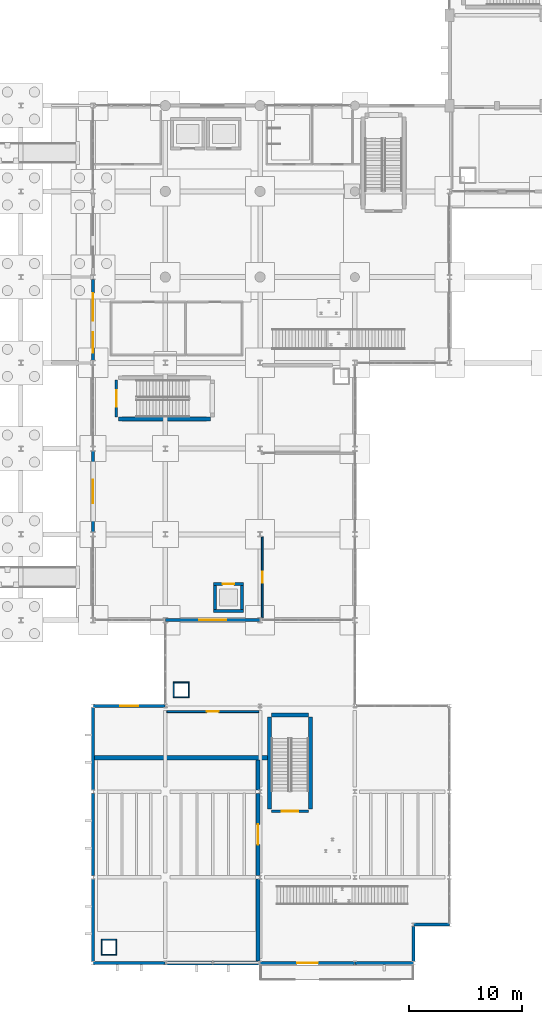
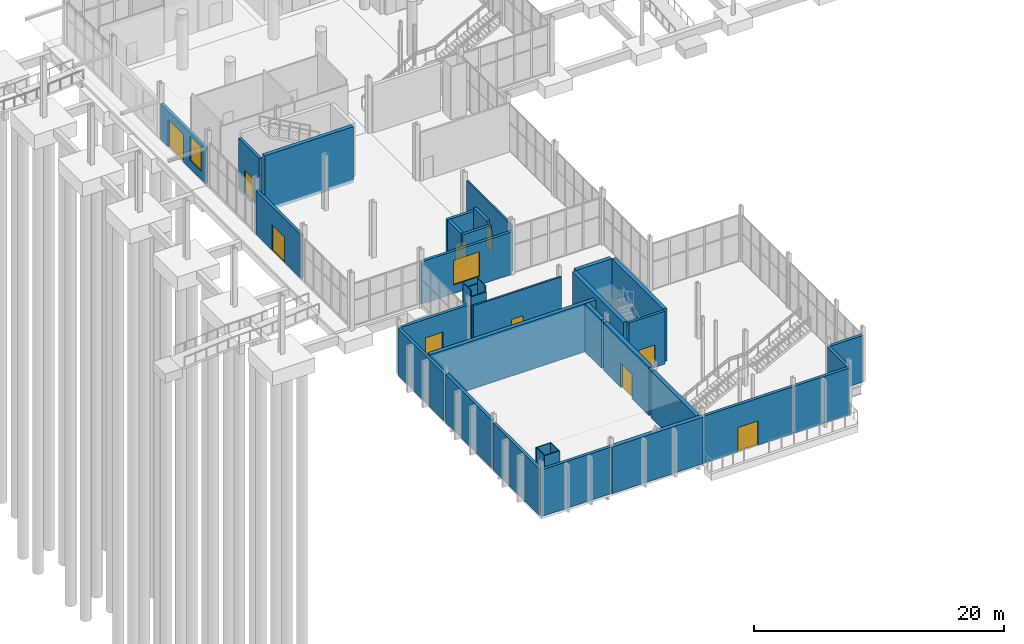
# One storey, part 73 of 95: 37 walls, 9 doors, 3 windows, 12 openings.
"""IFC4 building model written with IfcOpenShell, lengths in metres."""

from ifc_helpers import new_model, si_unit, direction, frame, frame_2d, origin, place, context, subcontext, project, spatial, rectangle, extrude, material, layer, layer_set, type_object, element, fill, save


model = new_model("IFC4")

# Units and contexts
model_context = context("Model", 3, precision=1e-05, world=origin(), true_north=direction((0.0, 1.0)))
body_context = subcontext(model_context, "Body", "Model", "MODEL_VIEW")
ifc_project = project(units=[si_unit("LENGTHUNIT", "METRE"), si_unit("AREAUNIT", "SQUARE_METRE"), si_unit("VOLUMEUNIT", "CUBIC_METRE"), si_unit("PLANEANGLEUNIT", "RADIAN"), si_unit("MASSUNIT", "GRAM", prefix="KILO")], contexts=[model_context])

# Site, building, storey
site_placement = place(None, origin())
site = spatial("IfcSite", under=ifc_project, at=site_placement, CompositionType="ELEMENT")
building_placement = place(site_placement, origin())
building = spatial("IfcBuilding", under=site, at=building_placement, Name="Shengluoqiao Park Theatre", CompositionType="ELEMENT")
storey_placement = place(building_placement, origin())
storey = spatial("IfcBuildingStorey", under=building, at=storey_placement, Name="L00", CompositionType="ELEMENT", Elevation=0.0)

# Wall
ifc_material_1 = material(Name="Concrete C40", Category="concrete")
ifc_layer_1 = layer(ifc_material_1, 0.27001953125, Name="Concrete C40")
ifc_layer_set_1 = layer_set([ifc_layer_1], Name="Concrete C40")
wall_type_1 = type_object("IfcWallType", Name="ENV-WL-CONC270", PredefinedType="STANDARD", material=ifc_layer_set_1)
wall_1_placement = place(storey_placement, frame((12.810546875, 0.0, 0.0), z_axis=(0.0, 0.0, 1.0), x_axis=(1.0, 0.0, 0.0)))
element("IfcWall", 1, at=wall_1_placement, inside=storey, type_object=wall_type_1, Name="L00 Exterior Wall 0131", PredefinedType="STANDARD", context=body_context, shape_type="SweptSolid", body=[
    extrude(rectangle(XDim=6.37890625, YDim=0.27001953125, at=frame_2d((3.189453125, 0.0))), origin(), (0.0, 0.0, 1.0), 4.555908203125),
])

# Wall, opening, door
wall_2_placement = place(storey_placement, frame((27.610595703125, 0.0, 0.0), z_axis=(0.0, 0.0, 1.0), x_axis=(1.0, 0.0, 0.0)))
wall_2 = element("IfcWall", 2, at=wall_2_placement, inside=storey, type_object=wall_type_1, Name="L00 Exterior Wall 0133", PredefinedType="STANDARD", context=body_context, shape_type="SweptSolid", body=[
    extrude(rectangle(XDim=8.37890625, YDim=0.27001953125, at=frame_2d((4.189453125, 0.0))), origin(), (0.0, 0.0, 1.0), 4.555908203125),
])
opening_1_placement = place(wall_2_placement, frame((3.264404296875, 0.0, 0.0)))
opening_1 = element("IfcOpeningElement", 3, at=opening_1_placement, cuts=wall_2, Name="Opening ED-BBX-012", PredefinedType="OPENING", context=body_context, shape_type="SweptSolid", body=[
    extrude(rectangle(XDim=1.85009765625, YDim=2.35009765625, at=frame_2d((0.925048828125, 1.175048828125))), frame((0.0, 0.14501953125, 0.0), z_axis=(0.0, -1.0, 0.0), x_axis=(1.0, 0.0, 0.0)), (0.0, 0.0, 1.0), 0.2900390625),
])
ifc_material_2 = material(Name="Aluminium 6063-T6", Category="aluminium")
door_type_1 = type_object("IfcDoorType", Name="ENV-DR-EX185", OperationType="DOUBLE_DOOR_SINGLE_SWING", PredefinedType="DOOR", material=ifc_material_2)
door_1_placement = place(opening_1_placement, origin())
door_1 = element("IfcDoor", 4, at=door_1_placement, inside=storey, type_object=door_type_1, Name="Black-Box South Exit Door ED-BBX-012", OperationType="DOUBLE_DOOR_SINGLE_SWING", OverallHeight=2.35009765625, OverallWidth=1.85009765625, PredefinedType="DOOR", context=body_context, shape_type="SweptSolid", body=[
    extrude(rectangle(XDim=1.85009765625, YDim=2.35009765625, at=frame_2d((0.925048828125, 1.175048828125))), frame((0.0, 0.02490234375, 0.0), z_axis=(0.0, -1.0, 0.0), x_axis=(1.0, 0.0, 0.0)), (0.0, 0.0, 1.0), 0.050048828125),
])
fill(opening_1, door_1)

# Walls
wall_3_placement = place(storey_placement, frame((36.010498046875, 0.0, 0.0), z_axis=(0.0, 0.0, 1.0), x_axis=(1.0, 0.0, 0.0)))
element("IfcWall", 5, at=wall_3_placement, inside=storey, type_object=wall_type_1, Name="L00 Exterior Wall 0134", PredefinedType="STANDARD", context=body_context, shape_type="SweptSolid", body=[
    extrude(rectangle(XDim=5.178955078125, YDim=0.27001953125, at=frame_2d((2.58935546875, 0.0))), origin(), (0.0, 0.0, 1.0), 4.555908203125),
])
wall_4_placement = place(storey_placement, frame((12.800048828125, 0.154052734375, 0.0), z_axis=(0.0, 0.0, 1.0), x_axis=(0.0, 1.0, 0.0)))
element("IfcWall", 6, at=wall_4_placement, inside=storey, type_object=wall_type_1, Name="L00 Exterior Wall 0135", PredefinedType="STANDARD", context=body_context, shape_type="SweptSolid", body=[
    extrude(rectangle(XDim=7.2919921875, YDim=0.27001953125, at=frame_2d((3.64599609375, 0.0))), origin(), (0.0, 0.0, 1.0), 4.555908203125),
])
wall_5_placement = place(storey_placement, frame((12.800048828125, 7.75390625, 0.0), z_axis=(0.0, 0.0, 1.0), x_axis=(0.0, 1.0, 0.0)))
element("IfcWall", 7, at=wall_5_placement, inside=storey, type_object=wall_type_1, Name="L00 Exterior Wall 0136", PredefinedType="STANDARD", context=body_context, shape_type="SweptSolid", body=[
    extrude(rectangle(XDim=7.2919921875, YDim=0.27001953125, at=frame_2d((3.64599609375, 0.0))), origin(), (0.0, 0.0, 1.0), 4.697998046875),
])
wall_6_placement = place(storey_placement, frame((12.800048828125, 15.35400390625, 0.0), z_axis=(0.0, 0.0, 1.0), x_axis=(0.0, 1.0, 0.0)))
element("IfcWall", 8, at=wall_6_placement, inside=storey, type_object=wall_type_1, Name="L00 Exterior Wall 0137", PredefinedType="STANDARD", context=body_context, shape_type="SweptSolid", body=[
    extrude(rectangle(XDim=7.2919921875, YDim=0.27001953125, at=frame_2d((3.64599609375, 0.0))), origin(), (0.0, 0.0, 1.0), 4.555908203125),
])
wall_7_placement = place(storey_placement, frame((41.199951171875, 0.154052734375, 0.0), z_axis=(0.0, 0.0, 1.0), x_axis=(0.0, 1.0, 0.0)))
element("IfcWall", 9, at=wall_7_placement, inside=storey, type_object=wall_type_1, Name="L00 Exterior Wall 0138", PredefinedType="STANDARD", context=body_context, shape_type="SweptSolid", body=[
    extrude(rectangle(XDim=3.092041015625, YDim=0.27001953125, at=frame_2d((1.5458984375, 0.0))), origin(), (0.0, 0.0, 1.0), 4.555908203125),
])
wall_8_placement = place(storey_placement, frame((41.21044921875, 3.39990234375, 0.0), z_axis=(0.0, 0.0, 1.0), x_axis=(1.0, 0.0, 0.0)))
element("IfcWall", 10, at=wall_8_placement, inside=storey, type_object=wall_type_1, Name="L00 Exterior Wall 0139", PredefinedType="STANDARD", context=body_context, shape_type="SweptSolid", body=[
    extrude(rectangle(XDim=3.178955078125, YDim=0.27001953125, at=frame_2d((1.58935546875, 0.0))), origin(), (0.0, 0.0, 1.0), 4.555908203125),
])

# Wall, opening, window
wall_9_placement = place(storey_placement, frame((12.810546875, 22.800048828125, 0.0), z_axis=(0.0, 0.0, 1.0), x_axis=(1.0, 0.0, 0.0)))
wall_9 = element("IfcWall", 11, at=wall_9_placement, inside=storey, type_object=wall_type_1, Name="L00 Exterior Wall 0140", PredefinedType="STANDARD", context=body_context, shape_type="SweptSolid", body=[
    extrude(rectangle(XDim=6.37890625, YDim=0.27001953125, at=frame_2d((3.189453125, 0.0))), origin(), (0.0, 0.0, 1.0), 4.555908203125),
])
opening_2_placement = place(wall_9_placement, frame((2.389404296875, 0.0, 0.949951171875)))
opening_2 = element("IfcOpeningElement", 12, at=opening_2_placement, cuts=wall_9, Name="Opening W-06", PredefinedType="OPENING", context=body_context, shape_type="SweptSolid", body=[
    extrude(rectangle(XDim=1.60009765625, YDim=1.800048828125, at=frame_2d((0.800048828125, 0.89990234375))), frame((0.0, 0.14501953125, 0.0), z_axis=(0.0, -1.0, 0.0), x_axis=(1.0, 0.0, 0.0)), (0.0, 0.0, 1.0), 0.2900390625),
])
ifc_material_3 = material(Name="Insulated glass", Category="glass")
window_type_1 = type_object("IfcWindowType", Name="ENV-WIN-W06", PartitioningType="DOUBLE_PANEL_VERTICAL", PredefinedType="WINDOW", material=ifc_material_3)
window_1_placement = place(opening_2_placement, origin())
window_1 = element("IfcWindow", 13, at=window_1_placement, inside=storey, type_object=window_type_1, Name="L00 Acoustic Window 0009", OverallHeight=1.800048828125, OverallWidth=1.60009765625, PartitioningType="DOUBLE_PANEL_VERTICAL", PredefinedType="WINDOW", context=body_context, shape_type="SweptSolid", body=[
    extrude(rectangle(XDim=1.60009765625, YDim=1.800048828125, at=frame_2d((0.800048828125, 0.89990234375))), frame((0.0, 0.030029296875, 0.0), z_axis=(0.0, -1.0, 0.0), x_axis=(1.0, 0.0, 0.0)), (0.0, 0.0, 1.0), 0.06005859375),
])
fill(opening_2, window_1)

# Wall
ifc_material_4 = material(Name="Concrete C45", Category="concrete")
ifc_layer_2 = layer(ifc_material_4, 0.3798828125, Name="Concrete C45")
ifc_layer_set_2 = layer_set([ifc_layer_2], Name="Concrete C45")
wall_type_2 = type_object("IfcWallType", Name="ENV-WL-CONC380", PredefinedType="STANDARD", material=ifc_layer_set_2)
wall_10_placement = place(storey_placement, frame((19.21044921875, 0.0, 0.0), z_axis=(0.0, 0.0, 1.0), x_axis=(1.0, 0.0, 0.0)))
element("IfcWall", 14, at=wall_10_placement, inside=storey, type_object=wall_type_2, Name="L00 Exterior Wall 0132", PredefinedType="STANDARD", context=body_context, shape_type="SweptSolid", body=[
    extrude(rectangle(XDim=8.379150390625, YDim=0.3798828125, at=frame_2d((4.189453125, 0.0))), origin(), (0.0, 0.0, 1.0), 4.555908203125),
])

# Wall, opening, door
ifc_material_5 = material(Name="Precast concrete C45", Category="concrete")
ifc_layer_3 = layer(ifc_material_5, 0.25, Name="Precast concrete C45")
ifc_layer_set_3 = layer_set([ifc_layer_3], Name="Precast concrete C45")
wall_type_3 = type_object("IfcWallType", Name="ENV-WL-CRYS250", PredefinedType="STANDARD", material=ifc_layer_set_3)
wall_11_placement = place(storey_placement, frame((12.800048828125, 38.218017578125, 0.0), z_axis=(0.0, 0.0, 1.0), x_axis=(0.0, 1.0, 0.0)))
wall_11 = element("IfcWall", 15, at=wall_11_placement, inside=storey, type_object=wall_type_3, Name="L00 Exterior Wall 0089", PredefinedType="STANDARD", context=body_context, shape_type="SweptSolid", body=[
    extrude(rectangle(XDim=7.1640625, YDim=0.25, at=frame_2d((3.58203125, 0.0))), origin(), (0.0, 0.0, 1.0), 4.238037109375),
])
opening_3_placement = place(wall_11_placement, frame((2.556884765625, 0.0, 0.0)))
opening_3 = element("IfcOpeningElement", 16, at=opening_3_placement, cuts=wall_11, Name="Opening ED-STU-005", PredefinedType="OPENING", context=body_context, shape_type="SweptSolid", body=[
    extrude(rectangle(XDim=2.050048828125, YDim=2.449951171875, at=frame_2d((1.02490234375, 1.22509765625))), frame((0.0, 0.135009765625, 0.0), z_axis=(0.0, -1.0, 0.0), x_axis=(1.0, 0.0, 0.0)), (0.0, 0.0, 1.0), 0.27001953125),
])
door_type_2 = type_object("IfcDoorType", Name="ENV-DR-EX205", OperationType="DOUBLE_DOOR_SINGLE_SWING", PredefinedType="DOOR", material=ifc_material_2)
door_2_placement = place(opening_3_placement, origin())
door_2 = element("IfcDoor", 17, at=door_2_placement, inside=storey, type_object=door_type_2, Name="Studio Entrance Door ED-STU-005", OperationType="DOUBLE_DOOR_SINGLE_SWING", OverallHeight=2.449951171875, OverallWidth=2.050048828125, PredefinedType="DOOR", context=body_context, shape_type="SweptSolid", body=[
    extrude(rectangle(XDim=2.050048828125, YDim=2.449951171875, at=frame_2d((1.02490234375, 1.22509765625))), frame((0.0, 0.02490234375, 0.0), z_axis=(0.0, -1.0, 0.0), x_axis=(1.0, 0.0, 0.0)), (0.0, 0.0, 1.0), 0.050048828125),
])
fill(opening_3, door_2)

# Wall, opening, window
wall_12_placement = place(storey_placement, frame((19.212890625, 30.39990234375, 0.0), z_axis=(0.0, 0.0, 1.0), x_axis=(1.0, 0.0, 0.0)))
wall_12 = element("IfcWall", 18, at=wall_12_placement, inside=storey, type_object=wall_type_3, Name="L00 Exterior Wall 0090", PredefinedType="STANDARD", context=body_context, shape_type="SweptSolid", body=[
    extrude(rectangle(XDim=8.3740234375, YDim=0.25, at=frame_2d((4.18701171875, 0.0))), origin(), (0.0, 0.0, 1.0), 4.137939453125),
])
opening_4_placement = place(wall_12_placement, frame((2.987060546875, 0.0, 0.85009765625)))
opening_4 = element("IfcOpeningElement", 19, at=opening_4_placement, cuts=wall_12, Name="Opening W-02", PredefinedType="OPENING", context=body_context, shape_type="SweptSolid", body=[
    extrude(rectangle(XDim=2.39990234375, YDim=2.39990234375, at=frame_2d((1.199951171875, 1.199951171875))), frame((0.0, 0.135009765625, 0.0), z_axis=(0.0, -1.0, 0.0), x_axis=(1.0, 0.0, 0.0)), (0.0, 0.0, 1.0), 0.27001953125),
])
window_type_2 = type_object("IfcWindowType", Name="ENV-WIN-W02", PartitioningType="TRIPLE_PANEL_VERTICAL", PredefinedType="WINDOW", material=ifc_material_3)
window_2_placement = place(opening_4_placement, origin())
window_2 = element("IfcWindow", 20, at=window_2_placement, inside=storey, type_object=window_type_2, Name="L00 Acoustic Window 0004", OverallHeight=2.39990234375, OverallWidth=2.39990234375, PartitioningType="TRIPLE_PANEL_VERTICAL", PredefinedType="WINDOW", context=body_context, shape_type="SweptSolid", body=[
    extrude(rectangle(XDim=2.39990234375, YDim=2.39990234375, at=frame_2d((1.199951171875, 1.199951171875))), frame((0.0, 0.030029296875, 0.0), z_axis=(0.0, -1.0, 0.0), x_axis=(1.0, 0.0, 0.0)), (0.0, 0.0, 1.0), 0.06005859375),
])
fill(opening_4, window_2)

# Wall, openings, door, window
wall_13_placement = place(storey_placement, frame((12.800048828125, 53.41796875, 0.0), z_axis=(0.0, 0.0, 1.0), x_axis=(0.0, 1.0, 0.0)))
wall_13 = element("IfcWall", 21, at=wall_13_placement, inside=storey, type_object=wall_type_3, Name="L00 Exterior Wall 0106", PredefinedType="STANDARD", context=body_context, shape_type="SweptSolid", body=[
    extrude(rectangle(XDim=7.171142578125, YDim=0.25, at=frame_2d((3.58544921875, 0.0))), origin(), (0.0, 0.0, 1.0), 3.47607421875),
])
opening_5_placement = place(wall_13_placement, frame((0.677490234375, 0.0, 0.800048828125)))
opening_5 = element("IfcOpeningElement", 22, at=opening_5_placement, cuts=wall_13, Name="Opening W-01", PredefinedType="OPENING", context=body_context, shape_type="SweptSolid", body=[
    extrude(rectangle(XDim=1.800048828125, YDim=2.39990234375, at=frame_2d((0.89990234375, 1.199951171875))), frame((0.0, 0.135009765625, 0.0), z_axis=(0.0, -1.0, 0.0), x_axis=(1.0, 0.0, 0.0)), (0.0, 0.0, 1.0), 0.27001953125),
])
opening_6_placement = place(wall_13_placement, frame((3.5078125, 0.0, 0.0)))
opening_6 = element("IfcOpeningElement", 23, at=opening_6_placement, cuts=wall_13, Name="Opening ED-MAIN-007", PredefinedType="OPENING", context=body_context, shape_type="SweptSolid", body=[
    extrude(rectangle(XDim=2.449951171875, YDim=2.64990234375, at=frame_2d((1.22509765625, 1.324951171875))), frame((0.0, 0.135009765625, 0.0), z_axis=(0.0, -1.0, 0.0), x_axis=(1.0, 0.0, 0.0)), (0.0, 0.0, 1.0), 0.27001953125),
])
door_type_3 = type_object("IfcDoorType", Name="ENV-DR-EX245", OperationType="DOUBLE_DOOR_SINGLE_SWING", PredefinedType="DOOR", material=ifc_material_2)
door_3_placement = place(opening_6_placement, origin())
door_3 = element("IfcDoor", 24, at=door_3_placement, inside=storey, type_object=door_type_3, Name="Main Foyer Grand Entrance Door ED-MAIN-007", OperationType="DOUBLE_DOOR_SINGLE_SWING", OverallHeight=2.64990234375, OverallWidth=2.449951171875, PredefinedType="DOOR", context=body_context, shape_type="SweptSolid", body=[
    extrude(rectangle(XDim=2.449951171875, YDim=2.64990234375, at=frame_2d((1.22509765625, 1.324951171875))), frame((0.0, 0.02490234375, 0.0), z_axis=(0.0, -1.0, 0.0), x_axis=(1.0, 0.0, 0.0)), (0.0, 0.0, 1.0), 0.050048828125),
])
fill(opening_6, door_3)
window_type_3 = type_object("IfcWindowType", Name="ENV-WIN-W01", PartitioningType="DOUBLE_PANEL_VERTICAL", PredefinedType="WINDOW", material=ifc_material_3)
window_3_placement = place(opening_5_placement, origin())
window_3 = element("IfcWindow", 25, at=window_3_placement, inside=storey, type_object=window_type_3, Name="L00 Acoustic Window 0005", OverallHeight=2.39990234375, OverallWidth=1.800048828125, PartitioningType="DOUBLE_PANEL_VERTICAL", PredefinedType="WINDOW", context=body_context, shape_type="SweptSolid", body=[
    extrude(rectangle(XDim=1.800048828125, YDim=2.39990234375, at=frame_2d((0.89990234375, 1.199951171875))), frame((0.0, 0.030029296875, 0.0), z_axis=(0.0, -1.0, 0.0), x_axis=(1.0, 0.0, 0.0)), (0.0, 0.0, 1.0), 0.06005859375),
])
fill(opening_5, window_3)

# Wall
ifc_material_6 = material(Name="Gypsum acoustic stud", Category="gypsum")
ifc_layer_4 = layer(ifc_material_6, 0.360107421875, Name="Gypsum acoustic stud")
ifc_layer_set_4 = layer_set([ifc_layer_4], Name="Gypsum acoustic stud")
wall_type_4 = type_object("IfcWallType", Name="INT-WL-ACO360", PredefinedType="PARTITIONING", material=ifc_layer_set_4)
wall_14_placement = place(storey_placement, frame((12.943115234375, 18.199951171875, 0.0), z_axis=(0.0, 0.0, 1.0), x_axis=(1.0, 0.0, 0.0)))
element("IfcWall", 26, at=wall_14_placement, inside=storey, type_object=wall_type_4, Name="Black-Box Theatre Partition N", PredefinedType="PARTITIONING", context=body_context, shape_type="SweptSolid", body=[
    extrude(rectangle(XDim=15.2939453125, YDim=0.360107421875, at=frame_2d((7.64697265625, 0.0))), origin(), (0.0, 0.0, 1.0), 4.697998046875),
])

# Wall, opening, door
wall_15_placement = place(storey_placement, frame((27.39990234375, 7.756103515625, 0.0), z_axis=(0.0, 0.0, 1.0), x_axis=(0.0, 1.0, 0.0)))
wall_15 = element("IfcWall", 27, at=wall_15_placement, inside=storey, type_object=wall_type_4, Name="Black-Box Theatre Partition E", PredefinedType="PARTITIONING", context=body_context, shape_type="SweptSolid", body=[
    extrude(rectangle(XDim=7.287841796875, YDim=0.360107421875, at=frame_2d((3.64404296875, 0.0))), origin(), (0.0, 0.0, 1.0), 4.697998046875),
])
opening_7_placement = place(wall_15_placement, frame((2.743896484375, 0.0, 0.0)))
opening_7 = element("IfcOpeningElement", 28, at=opening_7_placement, cuts=wall_15, Name="Opening D-L00-023", PredefinedType="OPENING", context=body_context, shape_type="SweptSolid", body=[
    extrude(rectangle(XDim=1.800048828125, YDim=2.39990234375, at=frame_2d((0.89990234375, 1.199951171875))), frame((0.0, 0.18994140625, 0.0), z_axis=(0.0, -1.0, 0.0), x_axis=(1.0, 0.0, 0.0)), (0.0, 0.0, 1.0), 0.380126953125),
])
ifc_material_7 = material(Name="Acoustic timber", Category="wood")
door_type_4 = type_object("IfcDoorType", Name="INT-DR-AUD180", OperationType="DOUBLE_DOOR_SINGLE_SWING", PredefinedType="DOOR", material=ifc_material_7)
door_4_placement = place(opening_7_placement, origin())
door_4 = element("IfcDoor", 29, at=door_4_placement, inside=storey, type_object=door_type_4, Name="Black-Box Theatre Door D-L00-023", OperationType="DOUBLE_DOOR_SINGLE_SWING", OverallHeight=2.39990234375, OverallWidth=1.800048828125, PredefinedType="DOOR", context=body_context, shape_type="SweptSolid", body=[
    extrude(rectangle(XDim=1.800048828125, YDim=2.39990234375, at=frame_2d((0.89990234375, 1.199951171875))), frame((0.0, 0.02490234375, 0.0), z_axis=(0.0, -1.0, 0.0), x_axis=(1.0, 0.0, 0.0)), (0.0, 0.0, 1.0), 0.050048828125),
])
fill(opening_7, door_4)

# Walls
wall_16_placement = place(storey_placement, frame((27.39990234375, 15.35595703125, 0.0), z_axis=(0.0, 0.0, 1.0), x_axis=(0.0, 1.0, 0.0)))
element("IfcWall", 30, at=wall_16_placement, inside=storey, type_object=wall_type_4, Name="Black-Box Theatre Partition E", PredefinedType="PARTITIONING", context=body_context, shape_type="SweptSolid", body=[
    extrude(rectangle(XDim=2.657958984375, YDim=0.360107421875, at=frame_2d((1.3291015625, 0.0))), origin(), (0.0, 0.0, 1.0), 4.697998046875),
])
wall_17_placement = place(storey_placement, frame((27.39990234375, 0.197998046875, 0.0), z_axis=(0.0, 0.0, 1.0), x_axis=(0.0, 1.0, 0.0)))
element("IfcWall", 31, at=wall_17_placement, inside=storey, type_object=wall_type_4, Name="Black-Box Theatre Partition E", PredefinedType="PARTITIONING", context=body_context, shape_type="SweptSolid", body=[
    extrude(rectangle(XDim=7.24609375, YDim=0.360107421875, at=frame_2d((3.623046875, 0.0))), origin(), (0.0, 0.0, 1.0), 4.555908203125),
])

# Wall, opening, door
ifc_layer_5 = layer(ifc_material_6, 0.175048828125, Name="Gypsum acoustic stud")
ifc_layer_set_5 = layer_set([ifc_layer_5], Name="Gypsum acoustic stud")
wall_type_5 = type_object("IfcWallType", Name="INT-WL-COR175", PredefinedType="PARTITIONING", material=ifc_layer_set_5)
wall_18_placement = place(storey_placement, frame((19.344482421875, 22.280029296875, 0.0), z_axis=(0.0, 0.0, 1.0), x_axis=(1.0, 0.0, 0.0)))
wall_18 = element("IfcWall", 32, at=wall_18_placement, inside=storey, type_object=wall_type_5, Name="Black-Box Sound and Lighting Control Suite Partition N", PredefinedType="PARTITIONING", context=body_context, shape_type="SweptSolid", body=[
    extrude(rectangle(XDim=8.14306640625, YDim=0.175048828125, at=frame_2d((4.071533203125, 0.0))), origin(), (0.0, 0.0, 1.0), 4.697998046875),
])
opening_8_placement = place(wall_18_placement, frame((3.54150390625, 0.0, 0.0)))
opening_8 = element("IfcOpeningElement", 33, at=opening_8_placement, cuts=wall_18, Name="Opening D-L00-024", PredefinedType="OPENING", context=body_context, shape_type="SweptSolid", body=[
    extrude(rectangle(XDim=1.06005859375, YDim=2.14990234375, at=frame_2d((0.530029296875, 1.074951171875))), frame((0.0, 0.097412109375, 0.0), z_axis=(0.0, -1.0, 0.0), x_axis=(1.0, 0.0, 0.0)), (0.0, 0.0, 1.0), 0.195068359375),
])
door_type_5 = type_object("IfcDoorType", Name="INT-DR-SNG106", OperationType="NOTDEFINED", PredefinedType="DOOR", material=ifc_material_7)
door_5_placement = place(opening_8_placement, origin())
door_5 = element("IfcDoor", 34, at=door_5_placement, inside=storey, type_object=door_type_5, Name="Black-Box Sound and Lighting Control Suite Door D-L00-024", OperationType="SINGLE_SWING_LEFT", OverallHeight=2.14990234375, OverallWidth=1.06005859375, PredefinedType="DOOR", context=body_context, shape_type="SweptSolid", body=[
    extrude(rectangle(XDim=1.06005859375, YDim=2.14990234375, at=frame_2d((0.530029296875, 1.074951171875))), frame((0.0, 0.02490234375, 0.0), z_axis=(0.0, -1.0, 0.0), x_axis=(1.0, 0.0, 0.0)), (0.0, 0.0, 1.0), 0.050048828125),
])
fill(opening_8, door_5)

ifc_layer_6 = layer(ifc_material_6, 0.155029296875, Name="Gypsum acoustic stud")
ifc_layer_set_6 = layer_set([ifc_layer_6], Name="Gypsum acoustic stud")
wall_type_6 = type_object("IfcWallType", Name="INT-WL-DRS155", PredefinedType="PARTITIONING", material=ifc_layer_set_6)
wall_19_placement = place(storey_placement, frame((27.800048828125, 30.6220703125, 0.0), z_axis=(0.0, 0.0, 1.0), x_axis=(0.0, 1.0, 0.0)))
wall_19 = element("IfcWall", 35, at=wall_19_placement, inside=storey, type_object=wall_type_6, Name="Studio Performers Green Room Partition W", PredefinedType="PARTITIONING", context=body_context, shape_type="SweptSolid", body=[
    extrude(rectangle(XDim=7.157958984375, YDim=0.155029296875, at=frame_2d((3.5791015625, 0.0))), origin(), (0.0, 0.0, 1.0), 4.550048828125),
])
opening_9_placement = place(wall_19_placement, frame((3.089111328125, 0.0, 0.0)))
opening_9 = element("IfcOpeningElement", 36, at=opening_9_placement, cuts=wall_19, Name="Opening D-L00-021", PredefinedType="OPENING", context=body_context, shape_type="SweptSolid", body=[
    extrude(rectangle(XDim=0.97998046875, YDim=2.14990234375, at=frame_2d((0.489990234375, 1.074951171875))), frame((0.0, 0.08740234375, 0.0), z_axis=(0.0, -1.0, 0.0), x_axis=(1.0, 0.0, 0.0)), (0.0, 0.0, 1.0), 0.175048828125),
])
ifc_material_8 = material(Name="Timber veneer", Category="wood")
door_type_6 = type_object("IfcDoorType", Name="INT-DR-SNG098", OperationType="NOTDEFINED", PredefinedType="DOOR", material=ifc_material_8)
door_6_placement = place(opening_9_placement, origin())
door_6 = element("IfcDoor", 37, at=door_6_placement, inside=storey, type_object=door_type_6, Name="Studio Performers Green Room Door D-L00-021", OperationType="SINGLE_SWING_LEFT", OverallHeight=2.14990234375, OverallWidth=0.97998046875, PredefinedType="DOOR", context=body_context, shape_type="SweptSolid", body=[
    extrude(rectangle(XDim=0.97998046875, YDim=2.14990234375, at=frame_2d((0.489990234375, 1.074951171875))), frame((0.0, 0.02490234375, 0.0), z_axis=(0.0, -1.0, 0.0), x_axis=(1.0, 0.0, 0.0)), (0.0, 0.0, 1.0), 0.050048828125),
])
fill(opening_9, door_6)

# Walls
ifc_material_9 = material(Name="Gypsum shaftwall", Category="gypsum")
ifc_layer_7 = layer(ifc_material_9, 0.094970703125, Name="Gypsum shaftwall")
ifc_layer_set_7 = layer_set([ifc_layer_7], Name="Gypsum shaftwall")
wall_type_7 = type_object("IfcWallType", Name="INT-WL-RSR095", PredefinedType="PARTITIONING", material=ifc_layer_set_7)
for number, where, z_axis, x_axis, name in (
    (38, (13.5048828125, 0.75, 0.0), (0.0, 0.0, 1.0), (1.0, 0.0, 0.0), "L00 Service Riser Shaftwall 037"),
    (39, (13.5048828125, 2.070068359375, 0.0), (0.0, 0.0, 1.0), (1.0, 0.0, 0.0), "L00 Service Riser Shaftwall 038"),
):
    element("IfcWall", number, at=place(storey_placement, frame(where, z_axis=z_axis, x_axis=x_axis)), inside=storey, type_object=wall_type_7, Name=name, PredefinedType="PARTITIONING", context=body_context, shape_type="SweptSolid", body=[
        extrude(rectangle(XDim=1.41015625, YDim=0.094970703125, at=frame_2d((0.705078125, 0.0))), origin(), (0.0, 0.0, 1.0), 5.159912109375),
    ])
for number, where, z_axis, x_axis, name in (
    (40, (13.550048828125, 0.804931640625, 0.0), (0.0, 0.0, 1.0), (0.0, 1.0, 0.0), "L00 Service Riser Shaftwall 039"),
    (41, (14.8701171875, 0.804931640625, 0.0), (0.0, 0.0, 1.0), (0.0, 1.0, 0.0), "L00 Service Riser Shaftwall 040"),
):
    element("IfcWall", number, at=place(storey_placement, frame(where, z_axis=z_axis, x_axis=x_axis)), inside=storey, type_object=wall_type_7, Name=name, PredefinedType="PARTITIONING", context=body_context, shape_type="SweptSolid", body=[
        extrude(rectangle(XDim=1.2099609375, YDim=0.094970703125, at=frame_2d((0.60498046875, 0.0))), origin(), (0.0, 0.0, 1.0), 5.159912109375),
    ])
for number, where, z_axis, x_axis, name in (
    (42, (19.905029296875, 23.550048828125, 0.0), (0.0, 0.0, 1.0), (1.0, 0.0, 0.0), "L00 Service Riser Shaftwall 041"),
    (43, (19.905029296875, 24.8701171875, 0.0), (0.0, 0.0, 1.0), (1.0, 0.0, 0.0), "L00 Service Riser Shaftwall 042"),
):
    element("IfcWall", number, at=place(storey_placement, frame(where, z_axis=z_axis, x_axis=x_axis)), inside=storey, type_object=wall_type_7, Name=name, PredefinedType="PARTITIONING", context=body_context, shape_type="SweptSolid", body=[
        extrude(rectangle(XDim=1.409912109375, YDim=0.094970703125, at=frame_2d((0.705078125, 0.0))), origin(), (0.0, 0.0, 1.0), 4.587890625),
    ])
for number, where, z_axis, x_axis, name in (
    (44, (19.949951171875, 23.60498046875, 0.0), (0.0, 0.0, 1.0), (0.0, 1.0, 0.0), "L00 Service Riser Shaftwall 043"),
    (45, (21.27001953125, 23.60498046875, 0.0), (0.0, 0.0, 1.0), (0.0, 1.0, 0.0), "L00 Service Riser Shaftwall 044"),
):
    element("IfcWall", number, at=place(storey_placement, frame(where, z_axis=z_axis, x_axis=x_axis)), inside=storey, type_object=wall_type_7, Name=name, PredefinedType="PARTITIONING", context=body_context, shape_type="SweptSolid", body=[
        extrude(rectangle(XDim=1.2099609375, YDim=0.094970703125, at=frame_2d((0.60498046875, 0.0))), origin(), (0.0, 0.0, 1.0), 5.159912109375),
    ])
ifc_layer_8 = layer(ifc_material_1, 0.260009765625, Name="Concrete C40")
ifc_layer_set_8 = layer_set([ifc_layer_8], Name="Concrete C40")
wall_type_8 = type_object("IfcWallType", Name="INT-WL-SHF260", PredefinedType="STANDARD", material=ifc_layer_set_8)
wall_20_placement = place(storey_placement, frame((23.469970703125, 31.199951171875, 0.0), z_axis=(0.0, 0.0, 1.0), x_axis=(1.0, 0.0, 0.0)))
element("IfcWall", 46, at=wall_20_placement, inside=storey, type_object=wall_type_8, Name="L00 SL1 Lift Shaft Wall South", PredefinedType="STANDARD", context=body_context, shape_type="SweptSolid", body=[
    extrude(rectangle(XDim=2.659912109375, YDim=0.260009765625, at=frame_2d((1.330078125, 0.0))), origin(), (0.0, 0.0, 1.0), 4.7880859375),
])

# Wall, opening, door
wall_21_placement = place(storey_placement, frame((23.469970703125, 33.60009765625, 0.0), z_axis=(0.0, 0.0, 1.0), x_axis=(1.0, 0.0, 0.0)))
wall_21 = element("IfcWall", 47, at=wall_21_placement, inside=storey, type_object=wall_type_8, Name="L00 SL1 Lift Shaft Wall North", PredefinedType="STANDARD", context=body_context, shape_type="SweptSolid", body=[
    extrude(rectangle(XDim=2.659912109375, YDim=0.260009765625, at=frame_2d((1.330078125, 0.0))), origin(), (0.0, 0.0, 1.0), 4.7880859375),
])
opening_10_placement = place(wall_21_placement, frame((0.820068359375, 0.0, 0.0)))
opening_10 = element("IfcOpeningElement", 48, at=opening_10_placement, cuts=wall_21, Name="Opening LD-SL1-L00", PredefinedType="OPENING", context=body_context, shape_type="SweptSolid", body=[
    extrude(rectangle(XDim=1.02001953125, YDim=2.10009765625, at=frame_2d((0.510009765625, 1.050048828125))), frame((0.0, 0.139892578125, 0.0), z_axis=(0.0, -1.0, 0.0), x_axis=(1.0, 0.0, 0.0)), (0.0, 0.0, 1.0), 0.280029296875),
])
ifc_material_10 = material(Name="Stainless steel 304", Category="steel")
door_type_7 = type_object("IfcDoorType", Name="INT-DR-LD102", OperationType="SLIDING_TO_LEFT", PredefinedType="DOOR", material=ifc_material_10)
door_7_placement = place(opening_10_placement, origin())
door_7 = element("IfcDoor", 49, at=door_7_placement, inside=storey, type_object=door_type_7, Name="SL1 Lift Landing Door LD-SL1-L00", OperationType="SLIDING_TO_LEFT", OverallHeight=2.10009765625, OverallWidth=1.02001953125, PredefinedType="DOOR", context=body_context, shape_type="SweptSolid", body=[
    extrude(rectangle(XDim=1.02001953125, YDim=2.10009765625, at=frame_2d((0.510009765625, 1.050048828125))), frame((0.0, 0.02490234375, 0.0), z_axis=(0.0, -1.0, 0.0), x_axis=(1.0, 0.0, 0.0)), (0.0, 0.0, 1.0), 0.050048828125),
])
fill(opening_10, door_7)

# Walls
wall_22_placement = place(storey_placement, frame((23.60009765625, 31.3359375, 0.0), z_axis=(0.0, 0.0, 1.0), x_axis=(0.0, 1.0, 0.0)))
element("IfcWall", 50, at=wall_22_placement, inside=storey, type_object=wall_type_8, Name="L00 SL1 Lift Shaft Wall West", PredefinedType="STANDARD", context=body_context, shape_type="SweptSolid", body=[
    extrude(rectangle(XDim=2.128173828125, YDim=0.260009765625, at=frame_2d((1.06396484375, 0.0))), origin(), (0.0, 0.0, 1.0), 4.7880859375),
])
wall_23_placement = place(storey_placement, frame((26.0, 31.3359375, 0.0), z_axis=(0.0, 0.0, 1.0), x_axis=(0.0, 1.0, 0.0)))
element("IfcWall", 51, at=wall_23_placement, inside=storey, type_object=wall_type_8, Name="L00 SL1 Lift Shaft Wall East", PredefinedType="STANDARD", context=body_context, shape_type="SweptSolid", body=[
    extrude(rectangle(XDim=2.128173828125, YDim=0.260009765625, at=frame_2d((1.06396484375, 0.0))), origin(), (0.0, 0.0, 1.0), 5.159912109375),
])

# Wall, opening, door
ifc_layer_9 = layer(ifc_material_1, 0.239990234375, Name="Concrete C40")
ifc_layer_set_9 = layer_set([ifc_layer_9], Name="Concrete C40")
wall_type_9 = type_object("IfcWallType", Name="INT-WL-STW240", PredefinedType="STANDARD", material=ifc_layer_set_9)
wall_24_placement = place(storey_placement, frame((31.889892578125, 13.4599609375, 0.0), z_axis=(0.0, 0.0, 1.0), x_axis=(-1.0, 0.0, 0.0)))
wall_24 = element("IfcWall", 52, at=wall_24_placement, inside=storey, type_object=wall_type_9, Name="L00 ST-04 Stairwell Fire Wall", PredefinedType="STANDARD", context=body_context, shape_type="SweptSolid", body=[
    extrude(rectangle(XDim=3.27978515625, YDim=0.239990234375, at=frame_2d((1.639892578125, 0.0))), origin(), (0.0, 0.0, 1.0), 5.159912109375),
])
opening_11_placement = place(wall_24_placement, frame((0.9150390625, 0.0, 0.0)))
opening_11 = element("IfcOpeningElement", 53, at=opening_11_placement, cuts=wall_24, Name="Opening SD-04-L00", PredefinedType="OPENING", context=body_context, shape_type="SweptSolid", body=[
    extrude(rectangle(XDim=1.449951171875, YDim=2.199951171875, at=frame_2d((0.72509765625, 1.10009765625))), frame((0.0, 0.1298828125, 0.0), z_axis=(0.0, -1.0, 0.0), x_axis=(1.0, 0.0, 0.0)), (0.0, 0.0, 1.0), 0.260009765625),
])
ifc_material_11 = material(Name="Steel Q355", Category="steel")
door_type_8 = type_object("IfcDoorType", Name="INT-DR-STW145", OperationType="DOUBLE_DOOR_SINGLE_SWING", PredefinedType="DOOR", material=ifc_material_11)
door_8_placement = place(opening_11_placement, origin())
door_8 = element("IfcDoor", 54, at=door_8_placement, inside=storey, type_object=door_type_8, Name="L00 ST-04 Escape Stair Door SD-04-L00", OperationType="DOUBLE_DOOR_SINGLE_SWING", OverallHeight=2.199951171875, OverallWidth=1.449951171875, PredefinedType="DOOR", context=body_context, shape_type="SweptSolid", body=[
    extrude(rectangle(XDim=1.449951171875, YDim=2.199951171875, at=frame_2d((0.72509765625, 1.10009765625))), frame((0.0, 0.02490234375, 0.0), z_axis=(0.0, -1.0, 0.0), x_axis=(1.0, 0.0, 0.0)), (0.0, 0.0, 1.0), 0.050048828125),
])
fill(opening_11, door_8)

wall_25_placement = place(storey_placement, frame((14.860107421875, 48.409912109375, 0.0), z_axis=(0.0, 0.0, 1.0), x_axis=(0.0, 1.0, 0.0)))
wall_25 = element("IfcWall", 55, at=wall_25_placement, inside=storey, type_object=wall_type_9, Name="L00 ST-13 Stairwell Fire Wall", PredefinedType="STANDARD", context=body_context, shape_type="SweptSolid", body=[
    extrude(rectangle(XDim=3.280029296875, YDim=0.239990234375, at=frame_2d((1.64013671875, 0.0))), origin(), (0.0, 0.0, 1.0), 4.7880859375),
])
opening_12_placement = place(wall_25_placement, frame((0.9150390625, 0.0, 0.0)))
opening_12 = element("IfcOpeningElement", 56, at=opening_12_placement, cuts=wall_25, Name="Opening SD-13-L00", PredefinedType="OPENING", context=body_context, shape_type="SweptSolid", body=[
    extrude(rectangle(XDim=1.449951171875, YDim=2.199951171875, at=frame_2d((0.72509765625, 1.10009765625))), frame((0.0, 0.1298828125, 0.0), z_axis=(0.0, -1.0, 0.0), x_axis=(1.0, 0.0, 0.0)), (0.0, 0.0, 1.0), 0.260009765625),
])
door_9_placement = place(opening_12_placement, origin())
door_9 = element("IfcDoor", 57, at=door_9_placement, inside=storey, type_object=door_type_8, Name="L00 ST-13 Escape Stair Door SD-13-L00", OperationType="DOUBLE_DOOR_SINGLE_SWING", OverallHeight=2.199951171875, OverallWidth=1.449951171875, PredefinedType="DOOR", context=body_context, shape_type="SweptSolid", body=[
    extrude(rectangle(XDim=1.449951171875, YDim=2.199951171875, at=frame_2d((0.72509765625, 1.10009765625))), frame((0.0, 0.02490234375, 0.0), z_axis=(0.0, -1.0, 0.0), x_axis=(1.0, 0.0, 0.0)), (0.0, 0.0, 1.0), 0.050048828125),
])
fill(opening_12, door_9)

# Walls
ifc_material_12 = material(Name="Concrete C50", Category="concrete")
ifc_layer_10 = layer(ifc_material_12, 0.35009765625, Name="Concrete C50")
ifc_layer_set_10 = layer_set([ifc_layer_10], Name="Concrete C50")
wall_type_10 = type_object("IfcWallType", Name="STR-SW-CORE350", PredefinedType="SHEAR", material=ifc_layer_set_10)
wall_26_placement = place(storey_placement, frame((32.080078125, 13.64990234375, 0.0), z_axis=(0.0, 0.0, 1.0), x_axis=(0.0, 1.0, 0.0)))
element("IfcWall", 58, at=wall_26_placement, inside=storey, type_object=wall_type_10, Name="L00 ST-04 Core Left Shear Wall 0076", PredefinedType="SHEAR", context=body_context, shape_type="SweptSolid", body=[
    extrude(rectangle(XDim=8.150146484375, YDim=0.35009765625, at=frame_2d((4.0751953125, 0.0))), origin(), (0.0, 0.0, 1.0), 5.159912109375),
])
wall_27_placement = place(storey_placement, frame((31.89990234375, 21.97998046875, 0.0), z_axis=(0.0, 0.0, 1.0), x_axis=(-1.0, 0.0, 0.0)))
element("IfcWall", 59, at=wall_27_placement, inside=storey, type_object=wall_type_10, Name="L00 ST-04 Core Far Shear Wall 0077", PredefinedType="SHEAR", context=body_context, shape_type="SweptSolid", body=[
    extrude(rectangle(XDim=3.2998046875, YDim=0.35009765625, at=frame_2d((1.64990234375, 0.0))), origin(), (0.0, 0.0, 1.0), 5.159912109375),
])
wall_28_placement = place(storey_placement, frame((28.419921875, 21.800048828125, 0.0), z_axis=(0.0, 0.0, 1.0), x_axis=(0.0, -1.0, 0.0)))
element("IfcWall", 60, at=wall_28_placement, inside=storey, type_object=wall_type_10, Name="L00 ST-04 Core Right Shear Wall 0078", PredefinedType="SHEAR", context=body_context, shape_type="SweptSolid", body=[
    extrude(rectangle(XDim=8.150146484375, YDim=0.35009765625, at=frame_2d((4.0751953125, 0.0))), origin(), (0.0, 0.0, 1.0), 5.159912109375),
])
wall_29_placement = place(storey_placement, frame((15.050048828125, 48.219970703125, -0.300048828125), z_axis=(0.0, 0.0, 1.0), x_axis=(1.0, 0.0, 0.0)))
element("IfcWall", 61, at=wall_29_placement, inside=storey, type_object=wall_type_10, Name="L00 ST-13 Core Left Shear Wall 0169", PredefinedType="SHEAR", context=body_context, shape_type="SweptSolid", body=[
    extrude(rectangle(XDim=8.14990234375, YDim=0.35009765625, at=frame_2d((4.074951171875, 0.0))), origin(), (0.0, 0.0, 1.0), 5.4599609375),
])

save(model, "model.ifc")
